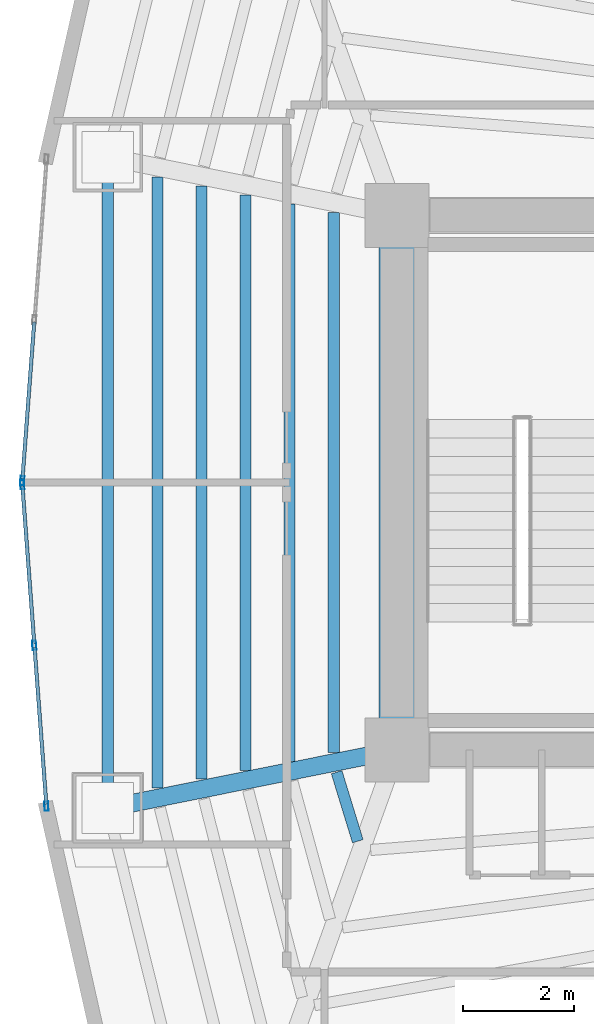
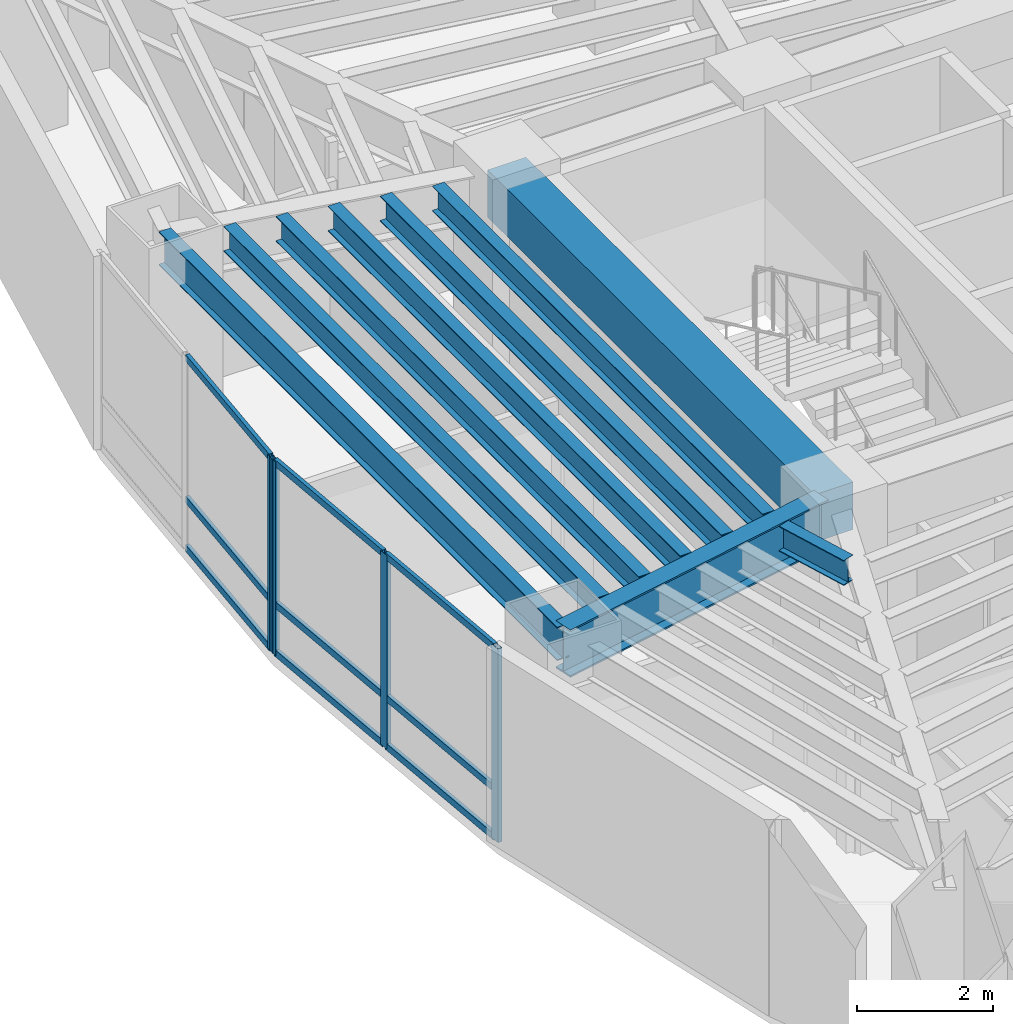
# One storey, part 3 of 16: 13 members, 9 beams, 2 elements without a shape of their own.
"""IFC4 building model written with IfcOpenShell, lengths in metres."""

from ifc_helpers import new_model, si_unit, direction, frame, origin, origin_2d, place, context, subcontext, project, spatial, rectangle, hollow_rectangle, i_section, extrude, material, layer, layer_set, material_profile, profile_set, type_object, element, aggregate, save


model = new_model("IFC4")

# Units and contexts
model_context = context("Model", 3, precision=1e-05, world=origin(), true_north=direction((0.0, 1.0)))
body_context = subcontext(model_context, "Body", "Model", "MODEL_VIEW")
ifc_project = project(units=[si_unit("LENGTHUNIT", "METRE"), si_unit("AREAUNIT", "SQUARE_METRE"), si_unit("VOLUMEUNIT", "CUBIC_METRE"), si_unit("PLANEANGLEUNIT", "RADIAN"), si_unit("MASSUNIT", "GRAM", prefix="KILO")], contexts=[model_context])

# Site, building, storey
site_placement = place(None, origin())
site = spatial("IfcSite", under=ifc_project, at=site_placement, CompositionType="ELEMENT")
building_placement = place(site_placement, origin())
building = spatial("IfcBuilding", under=site, at=building_placement, Name="Menara Vayukalpa", CompositionType="ELEMENT")
storey_placement = place(building_placement, frame((0.0, 0.0, 72.239990234375)))
storey = spatial("IfcBuildingStorey", under=building, at=storey_placement, Name="L17", CompositionType="ELEMENT", Elevation=72.239990234375)

# Beams
ifc_material_1 = material(Name="Concrete C60/75", Category="concrete")
ifc_material_profile_1 = material_profile(ifc_material_1, rectangle(XDim=0.64990234375, YDim=0.85009765625, at=origin_2d()), Name="RC 650x850")
ifc_profile_set_1 = profile_set([ifc_material_profile_1], Name="Concrete C60/75")
beam_type_1 = type_object("IfcBeamType", Name="BM-CB1", PredefinedType="BEAM", material=ifc_profile_set_1)
beam_1_placement = place(storey_placement, frame((17.800048828125, 17.199951171875, 3.044921875), z_axis=(0.0, 1.0, 0.0), x_axis=(-1.0, 0.0, 0.0)))
element("IfcBeam", 1, at=beam_1_placement, inside=storey, type_object=beam_type_1, Name="L17 Core Tie Beam CBR7", PredefinedType="BEAM", context=body_context, shape_type="SweptSolid", body=[
    extrude(rectangle(XDim=0.64990234375, YDim=0.85009765625, at=origin_2d()), origin(), (0.0, 0.0, 1.0), 9.60009765625),
])
ifc_material_2 = material(Name="Steel S355", Category="steel")
ifc_material_profile_2 = material_profile(ifc_material_2, i_section(OverallWidth=0.320068359375, OverallDepth=0.85009765625, WebThickness=0.01611328125, FlangeThickness=0.030029296875, at=origin_2d()), Name="WF 850x320x16x30")
ifc_profile_set_2 = profile_set([ifc_material_profile_2], Name="Steel S355")
beam_type_2 = type_object("IfcBeamType", Name="BM-PG2", PredefinedType="BEAM", material=ifc_profile_set_2)
beam_2_placement = place(storey_placement, frame((17.554931640625, 17.150634765625, 3.044921875), z_axis=(-0.980324984906, -0.197390283373, 0.0), x_axis=(0.197390283373, -0.980324984906, 0.0)))
element("IfcBeam", 2, at=beam_2_placement, inside=storey, type_object=beam_type_2, Name="L17 Primary Radial Girder RG06", PredefinedType="BEAM", context=body_context, shape_type="SweptSolid", body=[
    extrude(i_section(OverallWidth=0.320068359375, OverallDepth=0.85009765625, WebThickness=0.01611328125, FlangeThickness=0.030029296875, at=origin_2d()), origin(), (0.0, 0.0, 1.0), 5.047607421875),
])
ifc_material_3 = material(Name="Steel S355", Category="steel")
ifc_material_profile_3 = material_profile(ifc_material_3, i_section(OverallWidth=0.199951171875, OverallDepth=0.449951171875, WebThickness=0.009033203125, FlangeThickness=0.013916015625, at=origin_2d()), Name="WF 450x200x9x14")
ifc_profile_set_3 = profile_set([ifc_material_profile_3], Name="Steel S355")
beam_type_3 = type_object("IfcBeamType", Name="BM-SJ1", PredefinedType="JOIST", material=ifc_profile_set_3)
beam_3_placement = place(storey_placement, frame((16.664306640625, 26.8486328125, 3.2451171875), z_axis=(0.0, -1.0, 0.0), x_axis=(1.0, 0.0, 0.0)))
element("IfcBeam", 3, at=beam_3_placement, inside=storey, type_object=beam_type_3, Name="L17 Secondary Floor Joist SJ05-1", PredefinedType="JOIST", context=body_context, shape_type="SweptSolid", body=[
    extrude(i_section(OverallWidth=0.199951171875, OverallDepth=0.449951171875, WebThickness=0.009033203125, FlangeThickness=0.013916015625, at=origin_2d()), origin(), (0.0, 0.0, 1.0), 9.697265625),
])
beam_4_placement = place(storey_placement, frame((15.87255859375, 27.008056640625, 3.2451171875), z_axis=(0.0, -1.0, 0.0), x_axis=(1.0, 0.0, 0.0)))
element("IfcBeam", 4, at=beam_4_placement, inside=storey, type_object=beam_type_3, Name="L17 Secondary Floor Joist SJ05-2", PredefinedType="JOIST", context=body_context, shape_type="SweptSolid", body=[
    extrude(i_section(OverallWidth=0.199951171875, OverallDepth=0.449951171875, WebThickness=0.009033203125, FlangeThickness=0.013916015625, at=origin_2d()), origin(), (0.0, 0.0, 1.0), 10.01611328125),
])
beam_5_placement = place(storey_placement, frame((15.080810546875, 27.16748046875, 3.2451171875), z_axis=(0.0, -1.0, 0.0), x_axis=(1.0, 0.0, 0.0)))
element("IfcBeam", 5, at=beam_5_placement, inside=storey, type_object=beam_type_3, Name="L17 Secondary Floor Joist SJ05-3", PredefinedType="JOIST", context=body_context, shape_type="SweptSolid", body=[
    extrude(i_section(OverallWidth=0.199951171875, OverallDepth=0.449951171875, WebThickness=0.009033203125, FlangeThickness=0.013916015625, at=origin_2d()), origin(), (0.0, 0.0, 1.0), 10.3349609375),
])
beam_6_placement = place(storey_placement, frame((14.2890625, 27.326904296875, 3.2451171875), z_axis=(0.0, -1.0, 0.0), x_axis=(1.0, 0.0, 0.0)))
element("IfcBeam", 6, at=beam_6_placement, inside=storey, type_object=beam_type_3, Name="L17 Secondary Floor Joist SJ05-4", PredefinedType="JOIST", context=body_context, shape_type="SweptSolid", body=[
    extrude(i_section(OverallWidth=0.199951171875, OverallDepth=0.449951171875, WebThickness=0.009033203125, FlangeThickness=0.013916015625, at=origin_2d()), origin(), (0.0, 0.0, 1.0), 10.65380859375),
])
beam_7_placement = place(storey_placement, frame((13.497314453125, 27.486328125, 3.2451171875), z_axis=(0.0, -1.0, 0.0), x_axis=(1.0, 0.0, 0.0)))
element("IfcBeam", 7, at=beam_7_placement, inside=storey, type_object=beam_type_3, Name="L17 Secondary Floor Joist SJ05-5", PredefinedType="JOIST", context=body_context, shape_type="SweptSolid", body=[
    extrude(i_section(OverallWidth=0.199951171875, OverallDepth=0.449951171875, WebThickness=0.009033203125, FlangeThickness=0.013916015625, at=origin_2d()), origin(), (0.0, 0.0, 1.0), 10.97265625),
])
beam_8_placement = place(storey_placement, frame((16.716796875, 16.79931640625, 3.2451171875), z_axis=(0.292802109412, -0.95617306212, 0.0), x_axis=(0.95617306212, 0.292802109412, 0.0)))
element("IfcBeam", 8, at=beam_8_placement, inside=storey, type_object=beam_type_3, Name="L17 Secondary Floor Joist SJ06-1", PredefinedType="JOIST", context=body_context, shape_type="SweptSolid", body=[
    extrude(i_section(OverallWidth=0.199951171875, OverallDepth=0.449951171875, WebThickness=0.009033203125, FlangeThickness=0.013916015625, at=origin_2d()), origin(), (0.0, 0.0, 1.0), 1.296630859375),
])
ifc_material_4 = material(Name="Steel S355", Category="steel")
ifc_material_profile_4 = material_profile(ifc_material_4, i_section(OverallWidth=0.199951171875, OverallDepth=0.60009765625, WebThickness=0.010986328125, FlangeThickness=0.01708984375, at=origin_2d()), Name="WF 600x200x11x17")
ifc_profile_set_4 = profile_set([ifc_material_profile_4], Name="Steel S355")
beam_type_4 = type_object("IfcBeamType", Name="BM-SP1", PredefinedType="SPANDREL", material=ifc_profile_set_4)
beam_9_placement = place(storey_placement, frame((12.606689453125, 27.845703125, 3.169921875), z_axis=(0.0, -1.0, 0.0), x_axis=(1.0, 0.0, 0.0)))
element("IfcBeam", 9, at=beam_9_placement, inside=storey, type_object=beam_type_4, Name="L17 Perimeter Spandrel Beam SP05", PredefinedType="SPANDREL", context=body_context, shape_type="SweptSolid", body=[
    extrude(i_section(OverallWidth=0.199951171875, OverallDepth=0.60009765625, WebThickness=0.010986328125, FlangeThickness=0.01708984375, at=origin_2d()), origin(), (0.0, 0.0, 1.0), 11.69140625),
])

# Curtain wall, member
ifc_material_5 = material(Name="Anodised Terracotta Aluminium Alloy 6063-T6", Category="masonry")
ifc_layer = layer(ifc_material_5, 0.1650390625)
ifc_layer_set = layer_set([ifc_layer], Name="Anodised Terracotta Aluminium Alloy 6063-T6")
curtain_wall_type = type_object("IfcCurtainWallType", Name="CW-CW2", PredefinedType="USERDEFINED", material=ifc_layer_set)
curtain_wall_1_placement = place(storey_placement, origin())
curtain_wall_1 = element("IfcCurtainWall", 10, at=curtain_wall_1_placement, inside=storey, type_object=curtain_wall_type, Name="L17 Low Rise Terracotta Ribbon Curtain Wall CW2 10", ObjectType="UNITISED", PredefinedType="USERDEFINED")
ifc_material_6 = material(Name="Anodised Terracotta Aluminium Alloy 6063-T6", Category="masonry")
ifc_material_profile_5 = material_profile(ifc_material_6, hollow_rectangle(XDim=0.070068359375, YDim=0.1650390625, WallThickness=0.00390625, at=origin_2d()), Name="ALU 70x165x4")
ifc_profile_set_5 = profile_set([ifc_material_profile_5], Name="Anodised Terracotta Aluminium Alloy 6063-T6")
member_type_1 = type_object("IfcMemberType", Name="CWM-CW2", PredefinedType="MULLION", material=ifc_profile_set_5)
member_1_placement = place(storey_placement, frame((11.07080078125, 22.034912109375, 0.0), z_axis=(0.0, 0.0, 1.0), x_axis=(0.997199659745, -0.07478528334, 0.0)))
member_1 = element("IfcMember", 11, at=member_1_placement, type_object=member_type_1, Name="CW2 mullion 3", PredefinedType="MULLION", context=body_context, shape_type="SweptSolid", body=[
    extrude(hollow_rectangle(XDim=0.070068359375, YDim=0.1650390625, WallThickness=0.00390625, at=origin_2d()), origin(), (0.0, 0.0, 1.0), 3.469970703125),
])

# Curtain wall, members
curtain_wall_2_placement = place(storey_placement, origin())
curtain_wall_2 = element("IfcCurtainWall", 12, at=curtain_wall_2_placement, inside=storey, type_object=curtain_wall_type, Name="L17 Low Rise Terracotta Ribbon Curtain Wall CW2 11", ObjectType="UNITISED", PredefinedType="USERDEFINED")
member_2_placement = place(storey_placement, frame((11.07080078125, 21.965087890625, 0.0), z_axis=(0.0, 0.0, 1.0), x_axis=(0.997199659745, 0.07478528334, 0.0)))
member_2 = element("IfcMember", 13, at=member_2_placement, type_object=member_type_1, Name="CW2 mullion 1", PredefinedType="MULLION", context=body_context, shape_type="SweptSolid", body=[
    extrude(hollow_rectangle(XDim=0.070068359375, YDim=0.1650390625, WallThickness=0.00390625, at=origin_2d()), origin(), (0.0, 0.0, 1.0), 3.469970703125),
])
member_3_placement = place(storey_placement, frame((11.287353515625, 19.0771484375, 0.0), z_axis=(0.0, 0.0, 1.0), x_axis=(0.997199659745, 0.07478528334, 0.0)))
member_3 = element("IfcMember", 14, at=member_3_placement, type_object=member_type_1, Name="CW2 mullion 2", PredefinedType="MULLION", context=body_context, shape_type="SweptSolid", body=[
    extrude(hollow_rectangle(XDim=0.070068359375, YDim=0.1650390625, WallThickness=0.00390625, at=origin_2d()), origin(), (0.0, 0.0, 1.0), 3.469970703125),
])
member_4_placement = place(storey_placement, frame((11.50390625, 16.189208984375, 0.0), z_axis=(0.0, 0.0, 1.0), x_axis=(0.997199659745, 0.07478528334, 0.0)))
member_4 = element("IfcMember", 15, at=member_4_placement, type_object=member_type_1, Name="CW2 mullion 3", PredefinedType="MULLION", context=body_context, shape_type="SweptSolid", body=[
    extrude(hollow_rectangle(XDim=0.070068359375, YDim=0.1650390625, WallThickness=0.00390625, at=origin_2d()), origin(), (0.0, 0.0, 1.0), 3.469970703125),
])

# Member
ifc_material_7 = material(Name="Anodised Terracotta Aluminium Alloy 6063-T6", Category="masonry")
ifc_material_profile_6 = material_profile(ifc_material_7, hollow_rectangle(XDim=0.06494140625, YDim=0.1201171875, WallThickness=0.00341796875, at=origin_2d()), Name="ALU 65x120x3.5")
ifc_profile_set_6 = profile_set([ifc_material_profile_6], Name="Anodised Terracotta Aluminium Alloy 6063-T6")
member_type_2 = type_object("IfcMemberType", Name="CWT-CW2", PredefinedType="USERDEFINED", material=ifc_profile_set_6)
member_5_placement = place(storey_placement, frame((11.28466796875, 24.887939453125, 0.032470703125), z_axis=(-0.074727665421, -0.997203979144, 0.0), x_axis=(0.997203979144, -0.074727665421, 0.0)))
member_5 = element("IfcMember", 16, at=member_5_placement, type_object=member_type_2, Name="CW2 transom 2.1", ObjectType="TRANSOM", PredefinedType="USERDEFINED", context=body_context, shape_type="SweptSolid", body=[
    extrude(hollow_rectangle(XDim=0.06494140625, YDim=0.1201171875, WallThickness=0.00341796875, at=origin_2d()), origin(), (0.0, 0.0, 1.0), 2.825927734375),
])

member_6_placement = place(storey_placement, frame((11.28466796875, 24.887939453125, 0.89990234375), z_axis=(-0.074727665421, -0.997203979144, 0.0), x_axis=(0.997203979144, -0.074727665421, 0.0)))
member_6 = element("IfcMember", 17, at=member_6_placement, type_object=member_type_2, Name="CW2 transom 2.2", ObjectType="TRANSOM", PredefinedType="USERDEFINED", context=body_context, shape_type="SweptSolid", body=[
    extrude(hollow_rectangle(XDim=0.06494140625, YDim=0.1201171875, WallThickness=0.00341796875, at=origin_2d()), origin(), (0.0, 0.0, 1.0), 2.825927734375),
])

member_7_placement = place(storey_placement, frame((11.28466796875, 24.887939453125, 3.4375), z_axis=(-0.074727665421, -0.997203979144, 0.0), x_axis=(0.997203979144, -0.074727665421, 0.0)))
member_7 = element("IfcMember", 18, at=member_7_placement, type_object=member_type_2, Name="CW2 transom 2.3", ObjectType="TRANSOM", PredefinedType="USERDEFINED", context=body_context, shape_type="SweptSolid", body=[
    extrude(hollow_rectangle(XDim=0.06494140625, YDim=0.1201171875, WallThickness=0.00341796875, at=origin_2d()), origin(), (0.0, 0.0, 1.0), 2.825927734375),
])

aggregate(curtain_wall_1, [member_1, member_5, member_6, member_7])

member_8_placement = place(storey_placement, frame((11.073486328125, 21.93017578125, 0.032470703125), z_axis=(0.074727665421, -0.997203979144, 0.0), x_axis=(0.997203979144, 0.074727665421, 0.0)))
member_8 = element("IfcMember", 19, at=member_8_placement, type_object=member_type_2, Name="CW2 transom 1.1", ObjectType="TRANSOM", PredefinedType="USERDEFINED", context=body_context, shape_type="SweptSolid", body=[
    extrude(hollow_rectangle(XDim=0.06494140625, YDim=0.1201171875, WallThickness=0.00341796875, at=origin_2d()), origin(), (0.0, 0.0, 1.0), 2.825927734375),
])

member_9_placement = place(storey_placement, frame((11.073486328125, 21.93017578125, 0.89990234375), z_axis=(0.074727665421, -0.997203979144, 0.0), x_axis=(0.997203979144, 0.074727665421, 0.0)))
member_9 = element("IfcMember", 20, at=member_9_placement, type_object=member_type_2, Name="CW2 transom 1.2", ObjectType="TRANSOM", PredefinedType="USERDEFINED", context=body_context, shape_type="SweptSolid", body=[
    extrude(hollow_rectangle(XDim=0.06494140625, YDim=0.1201171875, WallThickness=0.00341796875, at=origin_2d()), origin(), (0.0, 0.0, 1.0), 2.825927734375),
])

member_10_placement = place(storey_placement, frame((11.073486328125, 21.93017578125, 3.4375), z_axis=(0.074727665421, -0.997203979144, 0.0), x_axis=(0.997203979144, 0.074727665421, 0.0)))
member_10 = element("IfcMember", 21, at=member_10_placement, type_object=member_type_2, Name="CW2 transom 1.3", ObjectType="TRANSOM", PredefinedType="USERDEFINED", context=body_context, shape_type="SweptSolid", body=[
    extrude(hollow_rectangle(XDim=0.06494140625, YDim=0.1201171875, WallThickness=0.00341796875, at=origin_2d()), origin(), (0.0, 0.0, 1.0), 2.825927734375),
])

member_11_placement = place(storey_placement, frame((11.2900390625, 19.042236328125, 0.032470703125), z_axis=(0.074813572531, -0.997197537785, 0.0), x_axis=(0.997197537785, 0.074813572531, 0.0)))
member_11 = element("IfcMember", 22, at=member_11_placement, type_object=member_type_2, Name="CW2 transom 2.1", ObjectType="TRANSOM", PredefinedType="USERDEFINED", context=body_context, shape_type="SweptSolid", body=[
    extrude(hollow_rectangle(XDim=0.06494140625, YDim=0.1201171875, WallThickness=0.00341796875, at=origin_2d()), origin(), (0.0, 0.0, 1.0), 2.825927734375),
])

member_12_placement = place(storey_placement, frame((11.2900390625, 19.042236328125, 0.89990234375), z_axis=(0.074813572531, -0.997197537785, 0.0), x_axis=(0.997197537785, 0.074813572531, 0.0)))
member_12 = element("IfcMember", 23, at=member_12_placement, type_object=member_type_2, Name="CW2 transom 2.2", ObjectType="TRANSOM", PredefinedType="USERDEFINED", context=body_context, shape_type="SweptSolid", body=[
    extrude(hollow_rectangle(XDim=0.06494140625, YDim=0.1201171875, WallThickness=0.00341796875, at=origin_2d()), origin(), (0.0, 0.0, 1.0), 2.825927734375),
])

member_13_placement = place(storey_placement, frame((11.2900390625, 19.042236328125, 3.4375), z_axis=(0.074813572531, -0.997197537785, 0.0), x_axis=(0.997197537785, 0.074813572531, 0.0)))
member_13 = element("IfcMember", 24, at=member_13_placement, type_object=member_type_2, Name="CW2 transom 2.3", ObjectType="TRANSOM", PredefinedType="USERDEFINED", context=body_context, shape_type="SweptSolid", body=[
    extrude(hollow_rectangle(XDim=0.06494140625, YDim=0.1201171875, WallThickness=0.00341796875, at=origin_2d()), origin(), (0.0, 0.0, 1.0), 2.825927734375),
])

aggregate(curtain_wall_2, [member_2, member_3, member_4, member_8, member_9, member_10, member_11, member_12, member_13])

save(model, "model.ifc")
